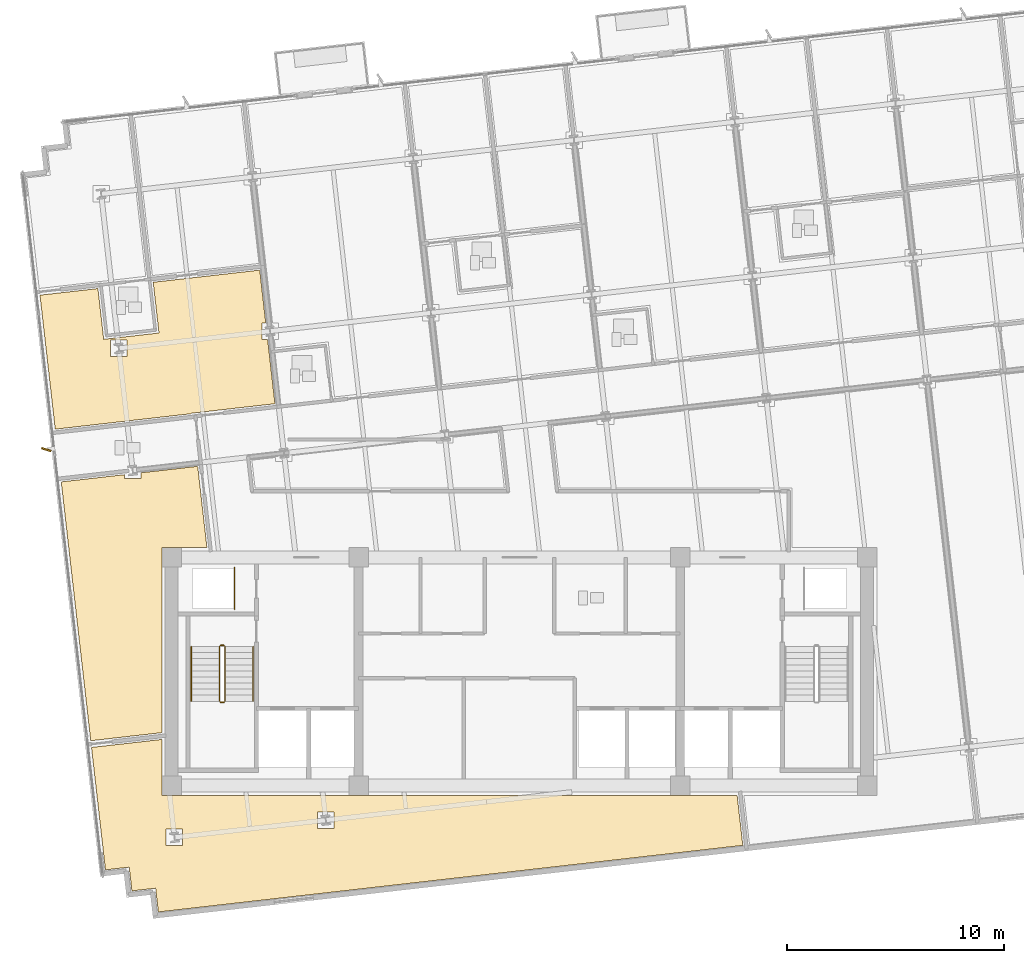
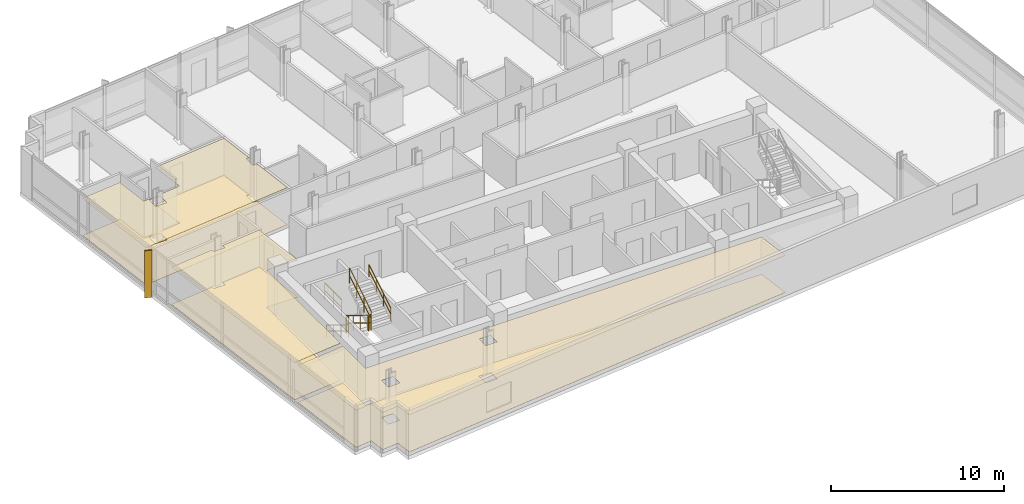
# One storey, part 13 of 17: 7 railings, 6 coverings, 1 shading device.
"""IFC4 building model written with IfcOpenShell, lengths in metres."""

from ifc_helpers import new_model, si_unit, direction, frame, origin, origin_2d, place, context, subcontext, project, spatial, polyline, rectangle, circle, outline, extrude, material, layer, layer_set, type_object, element, save


model = new_model("IFC4")

# Units and contexts
model_context = context("Model", 3, precision=1e-05, world=origin(), true_north=direction((0.0, 1.0)))
body_context = subcontext(model_context, "Body", "Model", "MODEL_VIEW")
ifc_project = project(units=[si_unit("LENGTHUNIT", "METRE"), si_unit("AREAUNIT", "SQUARE_METRE"), si_unit("VOLUMEUNIT", "CUBIC_METRE"), si_unit("PLANEANGLEUNIT", "RADIAN"), si_unit("MASSUNIT", "GRAM", prefix="KILO")], contexts=[model_context])

# Site, building, storey
site_placement = place(None, origin())
site = spatial("IfcSite", under=ifc_project, at=site_placement, CompositionType="ELEMENT")
building_placement = place(site_placement, origin())
building = spatial("IfcBuilding", under=site, at=building_placement, Name="Solmavex Isthmus Hotel", CompositionType="ELEMENT")
storey_placement = place(building_placement, frame((0.0, 0.0, 195.14990234375)))
storey = spatial("IfcBuildingStorey", under=building, at=storey_placement, Name="L52", CompositionType="ELEMENT", Elevation=195.14990234375)

# Coverings
ifc_material_1 = material(Name="Gypsum plasterboard lining", Category="gypsum")
ifc_layer_1 = layer(ifc_material_1, 0.030029296875)
ifc_layer_set_1 = layer_set([ifc_layer_1], Name="Gypsum plasterboard lining")
covering_type_1 = type_object("IfcCoveringType", Name="COV-CEIL-GYP", PredefinedType="CEILING", material=ifc_layer_set_1)
covering_1_placement = place(storey_placement, frame((0.0, 0.0, 2.6201171875)))
element("IfcCovering", 1, at=covering_1_placement, inside=storey, type_object=covering_type_1, Name="Suspended Acoustic Ceiling L52-SH01-LV", PredefinedType="CEILING", context=body_context, shape_type="SweptSolid", body=[
    extrude(outline(polyline([(-15.079833984375, 4.11669921875), (-15.08203125, 4.136474609375), (-11.2490234375, 4.5732421875), (-11.586181640625, 7.532470703125), (-11.853271484375, 7.532470703125), (-11.853271484375, 8.29248046875), (-11.672607421875, 8.29248046875), (-11.949462890625, 10.721435546875), (-16.851806640625, 10.1630859375), (-16.585693359375, 7.828125), (-19.129150390625, 7.538330078125), (-19.395263671875, 9.873291015625), (-22.06201171875, 9.5693359375), (-21.359130859375, 3.4013671875), (-15.079833984375, 4.11669921875)]), holes=[polyline([(-18.81640625, 6.739013671875), (-18.81640625, 7.4990234375), (-18.056396484375, 7.4990234375), (-18.056396484375, 6.739013671875), (-18.81640625, 6.739013671875)])]), origin(), (0.0, 0.0, 1.0), 0.030029296875),
])
covering_2_placement = place(storey_placement, frame((0.0, 0.0, 2.6201171875)))
element("IfcCovering", 2, at=covering_2_placement, inside=storey, type_object=covering_type_1, Name="Suspended Acoustic Ceiling L52-FL10", PredefinedType="CEILING", context=body_context, shape_type="SweptSolid", body=[
    extrude(outline(polyline([(-17.4169921875, 1.39453125), (-17.4169921875, 1.12744140625), (-18.177001953125, 1.12744140625), (-18.177001953125, 1.30810546875), (-21.0830078125, 0.97705078125), (-20.41015625, -4.929931640625), (-19.725830078125, -10.93603515625), (-16.455078125, -10.563232421875), (-16.455078125, -2.044921875), (-14.3779296875, -2.044921875), (-14.8037109375, 1.6923828125), (-17.4169921875, 1.39453125)])), origin(), (0.0, 0.0, 1.0), 0.030029296875),
])
covering_3_placement = place(storey_placement, frame((0.0, 0.0, 2.6201171875)))
element("IfcCovering", 3, at=covering_3_placement, inside=storey, type_object=covering_type_1, Name="Suspended Acoustic Ceiling L52-FL11", PredefinedType="CEILING", context=body_context, shape_type="SweptSolid", body=[
    extrude(outline(polyline([(-8.533203125, -17.8935546875), (10.2822265625, -15.75), (10.245361328125, -15.427001953125), (10.020751953125, -13.455078125), (-16.455078125, -13.455078125), (-16.455078125, -10.875244140625), (-19.690673828125, -11.243896484375), (-19.14208984375, -16.057861328125), (-19.048828125, -16.87744140625), (-17.955810546875, -16.7529296875), (-17.831298828125, -17.845947265625), (-16.73828125, -17.721435546875), (-16.61376953125, -18.814453125), (-15.794189453125, -18.720947265625), (-8.533203125, -17.8935546875)]), holes=[polyline([(-9.28955078125, -14.969970703125), (-9.28955078125, -14.2099609375), (-8.529541015625, -14.2099609375), (-8.529541015625, -14.969970703125), (-9.28955078125, -14.969970703125)]), polyline([(-16.25244140625, -15.763427734375), (-16.25244140625, -15.00341796875), (-15.492431640625, -15.00341796875), (-15.492431640625, -15.763427734375), (-16.25244140625, -15.763427734375)])]), origin(), (0.0, 0.0, 1.0), 0.030029296875),
])
ifc_material_2 = material(Name="Travertine natural stone", Category="masonry")
ifc_layer_2 = layer(ifc_material_2, 0.02490234375)
ifc_layer_set_2 = layer_set([ifc_layer_2], Name="Travertine natural stone")
covering_type_2 = type_object("IfcCoveringType", Name="COV-FLOR-STN", PredefinedType="FLOORING", material=ifc_layer_set_2)
covering_4_placement = place(storey_placement, origin())
element("IfcCovering", 4, at=covering_4_placement, inside=storey, type_object=covering_type_2, Name="Stone and Timber Floor Finish L52-SH01-LV", PredefinedType="FLOORING", context=body_context, shape_type="SweptSolid", body=[
    extrude(outline(polyline([(-15.079833984375, 4.11669921875), (-15.08203125, 4.136474609375), (-11.2490234375, 4.5732421875), (-11.586181640625, 7.532470703125), (-11.853271484375, 7.532470703125), (-11.853271484375, 8.29248046875), (-11.672607421875, 8.29248046875), (-11.949462890625, 10.721435546875), (-16.851806640625, 10.1630859375), (-16.585693359375, 7.828125), (-19.129150390625, 7.538330078125), (-19.395263671875, 9.873291015625), (-22.06201171875, 9.5693359375), (-21.359130859375, 3.4013671875), (-15.079833984375, 4.11669921875)]), holes=[polyline([(-18.81640625, 6.739013671875), (-18.81640625, 7.4990234375), (-18.056396484375, 7.4990234375), (-18.056396484375, 6.739013671875), (-18.81640625, 6.739013671875)])]), origin(), (0.0, 0.0, 1.0), 0.025146484375),
])
covering_5_placement = place(storey_placement, origin())
element("IfcCovering", 5, at=covering_5_placement, inside=storey, type_object=covering_type_2, Name="Stone and Timber Floor Finish L52-FL10", PredefinedType="FLOORING", context=body_context, shape_type="SweptSolid", body=[
    extrude(outline(polyline([(-17.4169921875, 1.39453125), (-17.4169921875, 1.12744140625), (-18.177001953125, 1.12744140625), (-18.177001953125, 1.30810546875), (-21.0830078125, 0.97705078125), (-20.41015625, -4.929931640625), (-19.725830078125, -10.93603515625), (-16.455078125, -10.563232421875), (-16.455078125, -2.044921875), (-14.3779296875, -2.044921875), (-14.8037109375, 1.6923828125), (-17.4169921875, 1.39453125)])), origin(), (0.0, 0.0, 1.0), 0.025146484375),
])
covering_6_placement = place(storey_placement, origin())
element("IfcCovering", 6, at=covering_6_placement, inside=storey, type_object=covering_type_2, Name="Stone and Timber Floor Finish L52-FL11", PredefinedType="FLOORING", context=body_context, shape_type="SweptSolid", body=[
    extrude(outline(polyline([(-8.533203125, -17.8935546875), (10.2822265625, -15.75), (10.245361328125, -15.427001953125), (10.020751953125, -13.455078125), (-16.455078125, -13.455078125), (-16.455078125, -10.875244140625), (-19.690673828125, -11.243896484375), (-19.14208984375, -16.057861328125), (-19.048828125, -16.87744140625), (-17.955810546875, -16.7529296875), (-17.831298828125, -17.845947265625), (-16.73828125, -17.721435546875), (-16.61376953125, -18.814453125), (-15.794189453125, -18.720947265625), (-8.533203125, -17.8935546875)]), holes=[polyline([(-9.28955078125, -14.969970703125), (-9.28955078125, -14.2099609375), (-8.529541015625, -14.2099609375), (-8.529541015625, -14.969970703125), (-9.28955078125, -14.969970703125)]), polyline([(-16.25244140625, -15.763427734375), (-16.25244140625, -15.00341796875), (-15.492431640625, -15.00341796875), (-15.492431640625, -15.763427734375), (-16.25244140625, -15.763427734375)])]), origin(), (0.0, 0.0, 1.0), 0.025146484375),
])

# Railings
ifc_material_3 = material(Name="Clear low-E laminated glass", Category="glass")
ifc_layer_3 = layer(ifc_material_3, 0.080078125)
ifc_layer_set_3 = layer_set([ifc_layer_3], Name="Clear low-E laminated glass")
railing_type_1 = type_object("IfcRailingType", Name="RAIL-ATRIUM-1120", PredefinedType="BALUSTRADE", material=ifc_layer_set_3)
railing_1_placement = place(storey_placement, frame((-13.10009765625, -4.89990234375, 0.0)))
element("IfcRailing", 7, at=railing_1_placement, inside=storey, type_object=railing_type_1, Name="Guardrail Balustrade L52-RSW-01", PredefinedType="BALUSTRADE", context=body_context, shape_type="SweptSolid", body=[
    extrude(circle(Radius=0.02392578125, at=origin_2d()), frame((0.0, 0.0, 1.1259765625), z_axis=(0.0, 1.0, 0.0), x_axis=(-1.0, 0.0, 0.0)), (0.0, 0.0, 1.0), 1.949951171875),
    extrude(circle(Radius=0.02392578125, at=origin_2d()), frame((0.0, 0.0, 0.574951171875), z_axis=(0.0, 1.0, 0.0), x_axis=(-1.0, 0.0, 0.0)), (0.0, 0.0, 1.0), 1.949951171875),
    extrude(circle(Radius=0.02099609375, at=origin_2d()), origin(), (0.0, 0.0, 1.0), 1.101806640625),
    extrude(circle(Radius=0.02099609375, at=origin_2d()), frame((0.0, 0.97509765625, 0.0)), (0.0, 0.0, 1.0), 1.101806640625),
    extrude(circle(Radius=0.02099609375, at=origin_2d()), frame((0.0, 1.949951171875, 0.0)), (0.0, 0.0, 1.0), 1.101806640625),
])
ifc_material_4 = material(Name="Stainless steel 316", Category="steel")
ifc_layer_4 = layer(ifc_material_4, 0.06005859375)
ifc_layer_set_4 = layer_set([ifc_layer_4], Name="Stainless steel 316")
railing_type_2 = type_object("IfcRailingType", Name="RAIL-STAIR-GD", PredefinedType="GUARDRAIL", material=ifc_layer_set_4)
railing_2_placement = place(storey_placement, frame((-13.800048828125, -6.60009765625, 0.172607421875)))
element("IfcRailing", 8, at=railing_2_placement, inside=storey, type_object=railing_type_2, Name="L52 ST-1 stair guard 1", PredefinedType="GUARDRAIL", context=body_context, shape_type="SweptSolid", body=[
    extrude(circle(Radius=0.02392578125, at=origin_2d()), frame((0.0, 0.0, 1.09619140625), z_axis=(0.0, -0.851400495292, 0.524516154772), x_axis=(1.0, 0.0, 0.0)), (0.0, 0.0, 1.0), 2.9599609375),
    extrude(circle(Radius=0.02392578125, at=origin_2d()), frame((0.0, 0.0, 0.56005859375), z_axis=(0.0, -0.851400495292, 0.524516154772), x_axis=(1.0, 0.0, 0.0)), (0.0, 0.0, 1.0), 2.9599609375),
    extrude(circle(Radius=0.02099609375, at=origin_2d()), origin(), (0.0, 0.0, 1.0), 1.072021484375),
    extrude(circle(Radius=0.02099609375, at=origin_2d()), frame((0.0, -0.840087890625, 0.517578125)), (0.0, 0.0, 1.0), 1.072021484375),
    extrude(circle(Radius=0.02099609375, at=origin_2d()), frame((0.0, -1.679931640625, 1.034912109375)), (0.0, 0.0, 1.0), 1.072021484375),
    extrude(circle(Radius=0.02099609375, at=origin_2d()), frame((0.0, -2.52001953125, 1.552490234375)), (0.0, 0.0, 1.0), 1.072021484375),
])
railing_3_placement = place(storey_placement, frame((-13.75, -9.169921875, 1.72509765625)))
element("IfcRailing", 9, at=railing_3_placement, inside=storey, type_object=railing_type_2, Name="L52 ST-1 stair guard 2", PredefinedType="GUARDRAIL", context=body_context, shape_type="SweptSolid", body=[
    extrude(circle(Radius=0.02392578125, at=origin_2d()), frame((0.0, 0.0, 1.09619140625), z_axis=(1.0, 0.0, 0.0), x_axis=(0.0, 1.0, 0.0)), (0.0, 0.0, 1.0), 0.14990234375),
    extrude(circle(Radius=0.02392578125, at=origin_2d()), frame((0.0, 0.0, 0.56005859375), z_axis=(1.0, 0.0, 0.0), x_axis=(0.0, 1.0, 0.0)), (0.0, 0.0, 1.0), 0.14990234375),
    extrude(circle(Radius=0.02099609375, at=origin_2d()), origin(), (0.0, 0.0, 1.0), 1.072021484375),
    extrude(circle(Radius=0.02099609375, at=origin_2d()), frame((0.14990234375, 0.0, 0.0)), (0.0, 0.0, 1.0), 1.072021484375),
])
railing_4_placement = place(storey_placement, frame((-13.550048828125, -9.1201171875, 1.897705078125)))
element("IfcRailing", 10, at=railing_4_placement, inside=storey, type_object=railing_type_2, Name="L52 ST-1 stair guard 3", PredefinedType="GUARDRAIL", context=body_context, shape_type="SweptSolid", body=[
    extrude(circle(Radius=0.02392578125, at=origin_2d()), frame((0.0, 0.0, 1.09619140625), z_axis=(0.0, 0.851400495292, 0.524516154772), x_axis=(-1.0, 0.0, 0.0)), (0.0, 0.0, 1.0), 2.9599609375),
    extrude(circle(Radius=0.02392578125, at=origin_2d()), frame((0.0, 0.0, 0.56005859375), z_axis=(0.0, 0.851400495292, 0.524516154772), x_axis=(-1.0, 0.0, 0.0)), (0.0, 0.0, 1.0), 2.9599609375),
    extrude(circle(Radius=0.02099609375, at=origin_2d()), origin(), (0.0, 0.0, 1.0), 1.072021484375),
    extrude(circle(Radius=0.02099609375, at=origin_2d()), frame((0.0, 0.840087890625, 0.517578125)), (0.0, 0.0, 1.0), 1.072021484375),
    extrude(circle(Radius=0.02099609375, at=origin_2d()), frame((0.0, 1.679931640625, 1.034912109375)), (0.0, 0.0, 1.0), 1.072021484375),
    extrude(circle(Radius=0.02099609375, at=origin_2d()), frame((0.0, 2.52001953125, 1.552490234375)), (0.0, 0.0, 1.0), 1.072021484375),
])
railing_5_placement = place(storey_placement, frame((-13.75, -6.550048828125, 0.0)))
element("IfcRailing", 11, at=railing_5_placement, inside=storey, type_object=railing_type_2, Name="L52 ST-1 stair guard 4", PredefinedType="GUARDRAIL", context=body_context, shape_type="SweptSolid", body=[
    extrude(circle(Radius=0.02392578125, at=origin_2d()), frame((0.0, 0.0, 1.09619140625), z_axis=(1.0, 0.0, 0.0), x_axis=(0.0, 1.0, 0.0)), (0.0, 0.0, 1.0), 0.14990234375),
    extrude(circle(Radius=0.02392578125, at=origin_2d()), frame((0.0, 0.0, 0.56005859375), z_axis=(1.0, 0.0, 0.0), x_axis=(0.0, 1.0, 0.0)), (0.0, 0.0, 1.0), 0.14990234375),
    extrude(circle(Radius=0.02099609375, at=origin_2d()), origin(), (0.0, 0.0, 1.0), 1.072021484375),
    extrude(circle(Radius=0.02099609375, at=origin_2d()), frame((0.14990234375, 0.0, 0.0)), (0.0, 0.0, 1.0), 1.072021484375),
])
ifc_layer_5 = layer(ifc_material_4, 0.050048828125)
ifc_layer_set_5 = layer_set([ifc_layer_5], Name="Stainless steel 316")
railing_type_3 = type_object("IfcRailingType", Name="RAIL-STAIR-HR", PredefinedType="HANDRAIL", material=ifc_layer_set_5)
railing_6_placement = place(storey_placement, frame((-15.10009765625, -6.60009765625, 0.172607421875)))
element("IfcRailing", 12, at=railing_6_placement, inside=storey, type_object=railing_type_3, Name="L52 ST-1 stair handrail 1", PredefinedType="HANDRAIL", context=body_context, shape_type="SweptSolid", body=[
    extrude(circle(Radius=0.02392578125, at=origin_2d()), frame((0.0, 0.0, 0.8759765625), z_axis=(0.0, -0.851400495292, 0.524516154772), x_axis=(1.0, 0.0, 0.0)), (0.0, 0.0, 1.0), 2.9599609375),
    extrude(circle(Radius=0.02392578125, at=origin_2d()), frame((0.0, 0.0, 0.449951171875), z_axis=(0.0, -0.851400495292, 0.524516154772), x_axis=(1.0, 0.0, 0.0)), (0.0, 0.0, 1.0), 2.9599609375),
    extrude(circle(Radius=0.02099609375, at=origin_2d()), origin(), (0.0, 0.0, 1.0), 0.851806640625),
    extrude(circle(Radius=0.02099609375, at=origin_2d()), frame((0.0, -0.840087890625, 0.517578125)), (0.0, 0.0, 1.0), 0.851806640625),
    extrude(circle(Radius=0.02099609375, at=origin_2d()), frame((0.0, -1.679931640625, 1.034912109375)), (0.0, 0.0, 1.0), 0.851806640625),
    extrude(circle(Radius=0.02099609375, at=origin_2d()), frame((0.0, -2.52001953125, 1.552490234375)), (0.0, 0.0, 1.0), 0.851806640625),
])
railing_7_placement = place(storey_placement, frame((-12.25, -9.1201171875, 1.897705078125)))
element("IfcRailing", 13, at=railing_7_placement, inside=storey, type_object=railing_type_3, Name="L52 ST-1 stair handrail 2", PredefinedType="HANDRAIL", context=body_context, shape_type="SweptSolid", body=[
    extrude(circle(Radius=0.02392578125, at=origin_2d()), frame((0.0, 0.0, 0.8759765625), z_axis=(0.0, 0.851400495292, 0.524516154772), x_axis=(-1.0, 0.0, 0.0)), (0.0, 0.0, 1.0), 2.9599609375),
    extrude(circle(Radius=0.02392578125, at=origin_2d()), frame((0.0, 0.0, 0.449951171875), z_axis=(0.0, 0.851400495292, 0.524516154772), x_axis=(-1.0, 0.0, 0.0)), (0.0, 0.0, 1.0), 2.9599609375),
    extrude(circle(Radius=0.02099609375, at=origin_2d()), origin(), (0.0, 0.0, 1.0), 0.851806640625),
    extrude(circle(Radius=0.02099609375, at=origin_2d()), frame((0.0, 0.840087890625, 0.517578125)), (0.0, 0.0, 1.0), 0.851806640625),
    extrude(circle(Radius=0.02099609375, at=origin_2d()), frame((0.0, 1.679931640625, 1.034912109375)), (0.0, 0.0, 1.0), 0.851806640625),
    extrude(circle(Radius=0.02099609375, at=origin_2d()), frame((0.0, 2.52001953125, 1.552490234375)), (0.0, 0.0, 1.0), 0.851806640625),
])

# Shading device
ifc_material_5 = material(Name="Aluminium alloy 6063-T6", Category="aluminium")
shading_device_type = type_object("IfcShadingDeviceType", Name="SHD-FIN-BRONZE", PredefinedType="USERDEFINED", material=ifc_material_5)
shading_device_placement = place(storey_placement, frame((-21.770751953125, 2.463623046875, -0.139892578125), z_axis=(0.0, 0.0, 1.0), x_axis=(-0.953716950748, 0.300705799504, 0.0)))
element("IfcShadingDevice", 14, at=shading_device_placement, inside=storey, type_object=shading_device_type, Name="Anodised Aluminium Solar Fin L52-W1", ObjectType="SOLAR_FIN", PredefinedType="USERDEFINED", context=body_context, shape_type="SweptSolid", body=[
    extrude(rectangle(XDim=0.449951171875, YDim=0.080078125, at=origin_2d()), origin(), (0.0, 0.0, 1.0), 3.330078125),
])

save(model, "model.ifc")
